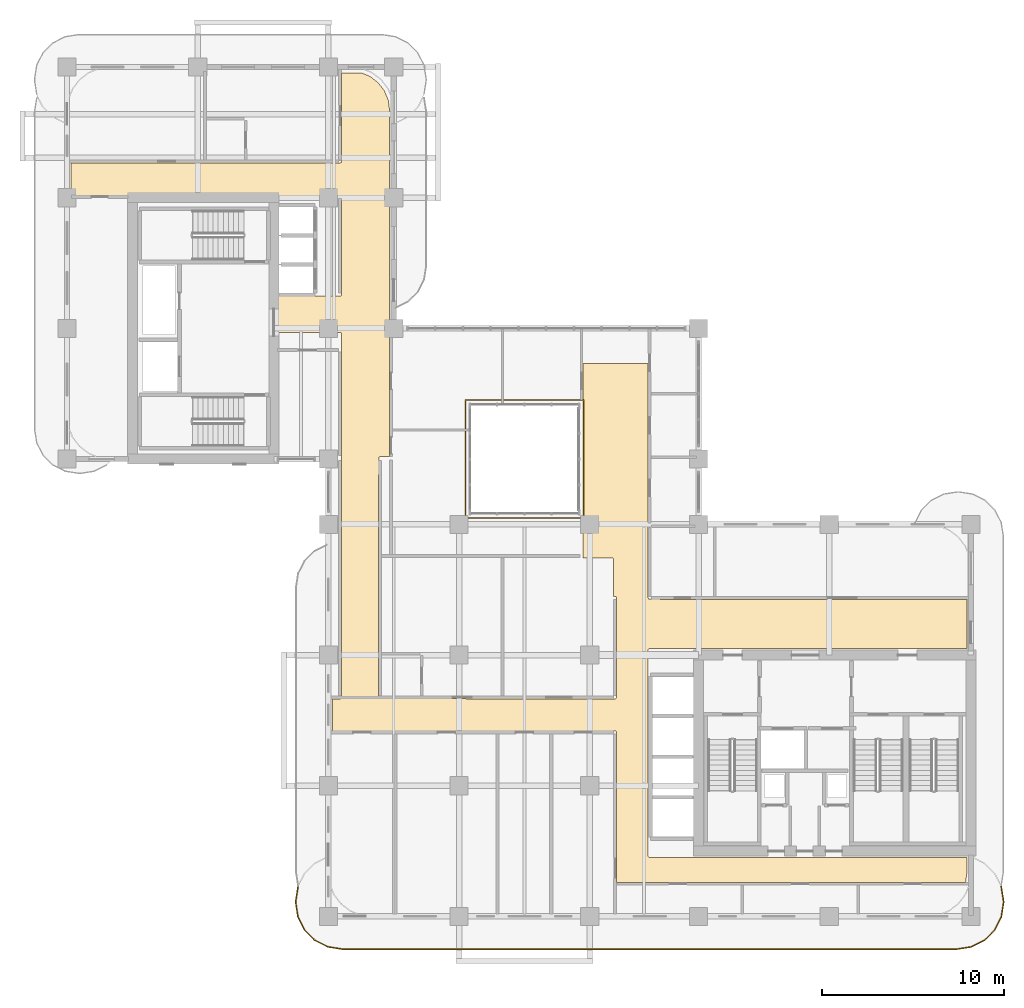
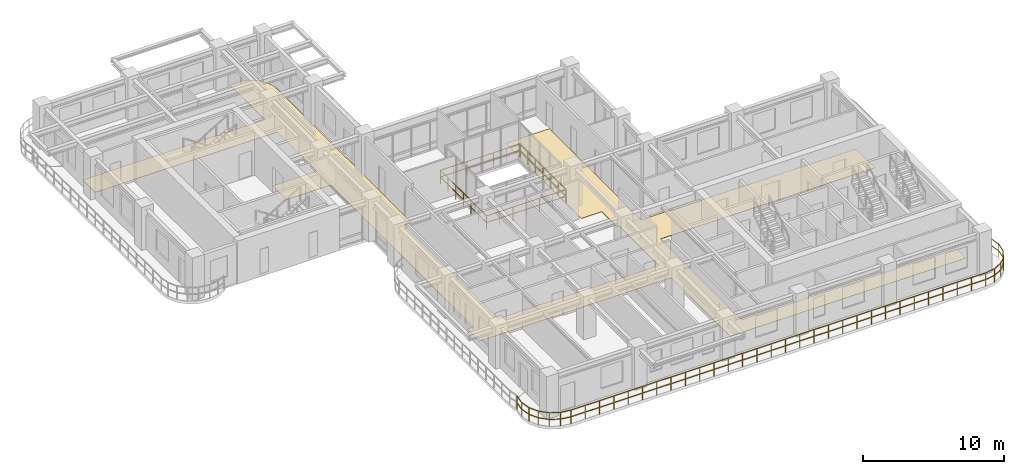
# One storey, part 18 of 21: 2 railings, 1 covering.
"""IFC4 building model written with IfcOpenShell, lengths in metres."""

from ifc_helpers import new_model, si_unit, derived_unit, direction, frame, origin, origin_2d, place, context, subcontext, project, spatial, polyline, rectangle, outline, extrude, material, layer, layer_set, type_object, element, save


model = new_model("IFC4")

# Units and contexts
model_context = context("Model", 3, precision=1e-05, world=origin(), true_north=direction((0.0, 1.0)))
body_context = subcontext(model_context, "Body", "Model", "MODEL_VIEW")
ifc_project = project(units=[si_unit("LENGTHUNIT", "METRE"), si_unit("AREAUNIT", "SQUARE_METRE"), si_unit("VOLUMEUNIT", "CUBIC_METRE"), si_unit("PLANEANGLEUNIT", "RADIAN"), si_unit("MASSUNIT", "GRAM", prefix="KILO"), si_unit("THERMODYNAMICTEMPERATUREUNIT", "KELVIN"), si_unit("POWERUNIT", "WATT"), derived_unit("THERMALTRANSMITTANCEUNIT", [(si_unit("POWERUNIT", "WATT"), 1), (si_unit("AREAUNIT", "SQUARE_METRE"), -1), (si_unit("THERMODYNAMICTEMPERATUREUNIT", "KELVIN"), -1)])], contexts=[model_context])

# Site, building, storey
site_placement = place(None, origin())
site = spatial("IfcSite", under=ifc_project, at=site_placement, CompositionType="ELEMENT")
building_placement = place(site_placement, origin())
building = spatial("IfcBuilding", under=site, at=building_placement, Name="Zahravan Archway Hotel and Residences", CompositionType="ELEMENT")
storey_placement = place(building_placement, frame((0.0, 0.0, 141.39990234375)))
storey = spatial("IfcBuildingStorey", under=building, at=storey_placement, Name="L35", CompositionType="ELEMENT", Elevation=141.39990234375)

# Covering
ifc_material_1 = material(Name="Engineered Walnut Parquet Flooring")
ifc_layer = layer(ifc_material_1, 0.02197265625, Name="Engineered Walnut Parquet Flooring")
ifc_layer_set = layer_set([ifc_layer], Name="Engineered Walnut Parquet Flooring")
covering_type = type_object("IfcCoveringType", Name="COV-FLR-TIMB", PredefinedType="FLOORING", material=ifc_layer_set)
covering_placement = place(storey_placement, origin())
element("IfcCovering", 1, at=covering_placement, inside=storey, type_object=covering_type, Name="L35 Circulation Floor Finish", PredefinedType="FLOORING", context=body_context, shape_type="SweptSolid", body=[
    extrude(outline(polyline([(32.08447265625, 14.75341796875), (32.04345703125, 14.731689453125), (32.021484375, 14.690673828125), (32.02001953125, 3.324951171875), (32.033447265625, 3.280517578125), (32.0693359375, 3.251220703125), (49.580078125, 3.2451171875), (49.580078125, 2.414306640625), (49.509521484375, 1.8798828125), (30.280029296875, 1.8798828125), (30.280029296875, 10.14990234375), (30.2666015625, 10.1943359375), (30.230712890625, 10.223876953125), (14.6201171875, 10.22998046875), (14.6201171875, 11.989990234375), (15.050048828125, 11.989990234375), (15.094482421875, 12.00341796875), (15.123779296875, 12.039306640625), (15.1298828125, 32.10009765625), (15.116455078125, 32.144287109375), (15.08056640625, 32.173828125), (11.530029296875, 32.179931640625), (11.530029296875, 34.169921875), (15.050048828125, 34.169921875), (15.094482421875, 34.18359375), (15.123779296875, 34.219482421875), (15.1298828125, 39.64990234375), (15.116455078125, 39.6943359375), (15.08056640625, 39.723876953125), (0.22998046875, 39.72998046875), (0.22998046875, 41.52001953125), (15.050048828125, 41.52001953125), (15.094482421875, 41.533447265625), (15.123779296875, 41.5693359375), (15.1298828125, 46.469970703125), (16.24560546875, 46.469970703125), (16.689208984375, 46.286376953125), (17.14013671875, 45.940185546875), (17.486328125, 45.489013671875), (17.703857421875, 44.9638671875), (17.77001953125, 44.46142578125), (17.77001953125, 25.330078125), (17.25, 25.330078125), (17.20556640625, 25.31640625), (17.176025390625, 25.280517578125), (17.169921875, 12.070068359375), (17.18359375, 12.025634765625), (17.219482421875, 11.99609375), (30.199951171875, 11.989990234375), (30.244384765625, 12.00341796875), (30.27392578125, 12.039306640625), (30.280029296875, 17.550048828125), (30.2666015625, 17.594482421875), (30.230712890625, 17.623779296875), (30.10009765625, 17.6298828125), (30.10009765625, 19.719970703125), (30.072998046875, 19.75), (28.429931640625, 19.75), (28.429931640625, 30.469970703125), (32.02001953125, 30.469970703125), (32.02001953125, 17.550048828125), (32.033447265625, 17.505615234375), (32.0693359375, 17.47607421875), (49.580078125, 17.469970703125), (49.580078125, 14.7548828125), (32.10009765625, 14.7548828125), (32.08447265625, 14.75341796875)])), origin(), (0.0, 0.0, 1.0), 0.022216796875),
])

# Railings
ifc_material_2 = material(Name="Atrium Laminated Glass Guardrail", Category="glass")
railing_type_1 = type_object("IfcRailingType", Name="RL-ATR-1200", PredefinedType="BALUSTRADE", material=ifc_material_2)
railing_1_placement = place(storey_placement, frame((21.949951171875, 21.949951171875, 0.0)))
element("IfcRailing", 2, at=railing_1_placement, inside=storey, type_object=railing_type_1, Name="L35 Balustrade RL-ATR-L35", PredefinedType="BALUSTRADE", context=body_context, shape_type="SweptSolid", body=[
    extrude(rectangle(XDim=0.048095703125, YDim=0.048095703125, at=origin_2d()), frame((0.0, 0.0, 1.17578125), z_axis=(1.0, 0.0, 0.0), x_axis=(0.0, 1.0, 0.0)), (0.0, 0.0, 1.0), 6.5),
    extrude(rectangle(XDim=0.048095703125, YDim=0.048095703125, at=origin_2d()), frame((0.0, 0.0, 0.60009765625), z_axis=(1.0, 0.0, 0.0), x_axis=(0.0, 1.0, 0.0)), (0.0, 0.0, 1.0), 6.5),
    extrude(rectangle(XDim=0.048095703125, YDim=0.048095703125, at=origin_2d()), frame((6.5, 0.0, 1.17578125), z_axis=(0.0, 1.0, 0.0), x_axis=(-1.0, 0.0, 0.0)), (0.0, 0.0, 1.0), 6.5),
    extrude(rectangle(XDim=0.048095703125, YDim=0.048095703125, at=origin_2d()), frame((6.5, 0.0, 0.60009765625), z_axis=(0.0, 1.0, 0.0), x_axis=(-1.0, 0.0, 0.0)), (0.0, 0.0, 1.0), 6.5),
    extrude(rectangle(XDim=0.048095703125, YDim=0.048095703125, at=origin_2d()), frame((6.5, 6.5, 1.17578125), z_axis=(-1.0, 0.0, 0.0), x_axis=(0.0, -1.0, 0.0)), (0.0, 0.0, 1.0), 6.5),
    extrude(rectangle(XDim=0.048095703125, YDim=0.048095703125, at=origin_2d()), frame((6.5, 6.5, 0.60009765625), z_axis=(-1.0, 0.0, 0.0), x_axis=(0.0, -1.0, 0.0)), (0.0, 0.0, 1.0), 6.5),
    extrude(rectangle(XDim=0.048095703125, YDim=0.048095703125, at=origin_2d()), frame((0.0, 6.5, 1.17578125), z_axis=(0.0, -1.0, 0.0), x_axis=(1.0, 0.0, 0.0)), (0.0, 0.0, 1.0), 6.5),
    extrude(rectangle(XDim=0.048095703125, YDim=0.048095703125, at=origin_2d()), frame((0.0, 6.5, 0.60009765625), z_axis=(0.0, -1.0, 0.0), x_axis=(1.0, 0.0, 0.0)), (0.0, 0.0, 1.0), 6.5),
    extrude(rectangle(XDim=0.0419921875, YDim=0.0419921875, at=origin_2d()), origin(), (0.0, 0.0, 1.0), 1.15185546875),
    extrude(rectangle(XDim=0.0419921875, YDim=0.0419921875, at=origin_2d()), frame((1.083251953125, 0.0, 0.0)), (0.0, 0.0, 1.0), 1.15185546875),
    extrude(rectangle(XDim=0.0419921875, YDim=0.0419921875, at=origin_2d()), frame((2.166748046875, 0.0, 0.0)), (0.0, 0.0, 1.0), 1.15185546875),
    extrude(rectangle(XDim=0.0419921875, YDim=0.0419921875, at=origin_2d()), frame((3.25, 0.0, 0.0)), (0.0, 0.0, 1.0), 1.15185546875),
    extrude(rectangle(XDim=0.0419921875, YDim=0.0419921875, at=origin_2d()), frame((4.333251953125, 0.0, 0.0)), (0.0, 0.0, 1.0), 1.15185546875),
    extrude(rectangle(XDim=0.0419921875, YDim=0.0419921875, at=origin_2d()), frame((5.416748046875, 0.0, 0.0)), (0.0, 0.0, 1.0), 1.15185546875),
    extrude(rectangle(XDim=0.0419921875, YDim=0.0419921875, at=origin_2d()), frame((6.5, 0.0, 0.0)), (0.0, 0.0, 1.0), 1.15185546875),
    extrude(rectangle(XDim=0.0419921875, YDim=0.0419921875, at=origin_2d()), frame((6.5, 1.083251953125, 0.0)), (0.0, 0.0, 1.0), 1.15185546875),
    extrude(rectangle(XDim=0.0419921875, YDim=0.0419921875, at=origin_2d()), frame((6.5, 2.166748046875, 0.0)), (0.0, 0.0, 1.0), 1.15185546875),
    extrude(rectangle(XDim=0.0419921875, YDim=0.0419921875, at=origin_2d()), frame((6.5, 3.25, 0.0)), (0.0, 0.0, 1.0), 1.15185546875),
    extrude(rectangle(XDim=0.0419921875, YDim=0.0419921875, at=origin_2d()), frame((6.5, 4.333251953125, 0.0)), (0.0, 0.0, 1.0), 1.15185546875),
    extrude(rectangle(XDim=0.0419921875, YDim=0.0419921875, at=origin_2d()), frame((6.5, 5.416748046875, 0.0)), (0.0, 0.0, 1.0), 1.15185546875),
    extrude(rectangle(XDim=0.0419921875, YDim=0.0419921875, at=origin_2d()), frame((6.5, 6.5, 0.0)), (0.0, 0.0, 1.0), 1.15185546875),
    extrude(rectangle(XDim=0.0419921875, YDim=0.0419921875, at=origin_2d()), frame((5.416748046875, 6.5, 0.0)), (0.0, 0.0, 1.0), 1.15185546875),
    extrude(rectangle(XDim=0.0419921875, YDim=0.0419921875, at=origin_2d()), frame((4.333251953125, 6.5, 0.0)), (0.0, 0.0, 1.0), 1.15185546875),
    extrude(rectangle(XDim=0.0419921875, YDim=0.0419921875, at=origin_2d()), frame((3.25, 6.5, 0.0)), (0.0, 0.0, 1.0), 1.15185546875),
    extrude(rectangle(XDim=0.0419921875, YDim=0.0419921875, at=origin_2d()), frame((2.166748046875, 6.5, 0.0)), (0.0, 0.0, 1.0), 1.15185546875),
    extrude(rectangle(XDim=0.0419921875, YDim=0.0419921875, at=origin_2d()), frame((1.083251953125, 6.5, 0.0)), (0.0, 0.0, 1.0), 1.15185546875),
    extrude(rectangle(XDim=0.0419921875, YDim=0.0419921875, at=origin_2d()), frame((0.0, 6.5, 0.0)), (0.0, 0.0, 1.0), 1.15185546875),
    extrude(rectangle(XDim=0.0419921875, YDim=0.0419921875, at=origin_2d()), frame((0.0, 5.416748046875, 0.0)), (0.0, 0.0, 1.0), 1.15185546875),
    extrude(rectangle(XDim=0.0419921875, YDim=0.0419921875, at=origin_2d()), frame((0.0, 4.333251953125, 0.0)), (0.0, 0.0, 1.0), 1.15185546875),
    extrude(rectangle(XDim=0.0419921875, YDim=0.0419921875, at=origin_2d()), frame((0.0, 3.25, 0.0)), (0.0, 0.0, 1.0), 1.15185546875),
    extrude(rectangle(XDim=0.0419921875, YDim=0.0419921875, at=origin_2d()), frame((0.0, 2.166748046875, 0.0)), (0.0, 0.0, 1.0), 1.15185546875),
    extrude(rectangle(XDim=0.0419921875, YDim=0.0419921875, at=origin_2d()), frame((0.0, 1.083251953125, 0.0)), (0.0, 0.0, 1.0), 1.15185546875),
])
ifc_material_3 = material(Name="Bronze & Laminated Glass Balustrade", Category="glass")
railing_type_2 = type_object("IfcRailingType", Name="RL-BAL-1200", PredefinedType="BALUSTRADE", material=ifc_material_3)
railing_2_placement = place(storey_placement, frame((51.47509765625, 1.637939453125, 0.0)))
element("IfcRailing", 3, at=railing_2_placement, inside=storey, type_object=railing_type_2, Name="L35 Balustrade RL-SLB-BAL-L35-SA-1", PredefinedType="BALUSTRADE", context=body_context, shape_type="SweptSolid", body=[
    extrude(rectangle(XDim=0.048095703125, YDim=0.048095703125, at=origin_2d()), frame((0.0, 0.0, 1.17578125), z_axis=(0.156701202656, -0.987646056584, 0.0), x_axis=(0.987646056584, 0.156701202656, 0.0)), (0.0, 0.0, 1.0), 0.797607421875),
    extrude(rectangle(XDim=0.048095703125, YDim=0.048095703125, at=origin_2d()), frame((0.0, 0.0, 0.60009765625), z_axis=(0.156701202656, -0.987646056584, 0.0), x_axis=(0.987646056584, 0.156701202656, 0.0)), (0.0, 0.0, 1.0), 0.797607421875),
    extrude(rectangle(XDim=0.048095703125, YDim=0.048095703125, at=origin_2d()), frame((0.125, -0.787841796875, 1.17578125), z_axis=(0.0, -1.0, 0.0), x_axis=(1.0, 0.0, 0.0)), (0.0, 0.0, 1.0), 0.10009765625),
    extrude(rectangle(XDim=0.048095703125, YDim=0.048095703125, at=origin_2d()), frame((0.125, -0.787841796875, 0.60009765625), z_axis=(0.0, -1.0, 0.0), x_axis=(1.0, 0.0, 0.0)), (0.0, 0.0, 1.0), 0.10009765625),
    extrude(rectangle(XDim=0.048095703125, YDim=0.048095703125, at=origin_2d()), frame((0.125, -0.887939453125, 1.17578125), z_axis=(-0.156653849773, -0.98765356849, 0.0), x_axis=(0.98765356849, -0.156653849773, 0.0)), (0.0, 0.0, 1.0), 0.7978515625),
    extrude(rectangle(XDim=0.048095703125, YDim=0.048095703125, at=origin_2d()), frame((0.125, -0.887939453125, 0.60009765625), z_axis=(-0.156653849773, -0.98765356849, 0.0), x_axis=(0.98765356849, -0.156653849773, 0.0)), (0.0, 0.0, 1.0), 0.7978515625),
    extrude(rectangle(XDim=0.048095703125, YDim=0.048095703125, at=origin_2d()), frame((0.0, -1.676025390625, 1.17578125), z_axis=(-0.453934952053, -0.891034824967, 0.0), x_axis=(0.891034824967, -0.453934952053, 0.0)), (0.0, 0.0, 1.0), 0.797607421875),
    extrude(rectangle(XDim=0.048095703125, YDim=0.048095703125, at=origin_2d()), frame((0.0, -1.676025390625, 0.60009765625), z_axis=(-0.453934952053, -0.891034824967, 0.0), x_axis=(0.891034824967, -0.453934952053, 0.0)), (0.0, 0.0, 1.0), 0.797607421875),
    extrude(rectangle(XDim=0.048095703125, YDim=0.048095703125, at=origin_2d()), frame((-0.362060546875, -2.38671875, 1.17578125), z_axis=(-0.707106781187, -0.707106781187, 0.0), x_axis=(0.707106781187, -0.707106781187, 0.0)), (0.0, 0.0, 1.0), 0.7978515625),
    extrude(rectangle(XDim=0.048095703125, YDim=0.048095703125, at=origin_2d()), frame((-0.362060546875, -2.38671875, 0.60009765625), z_axis=(-0.707106781187, -0.707106781187, 0.0), x_axis=(0.707106781187, -0.707106781187, 0.0)), (0.0, 0.0, 1.0), 0.7978515625),
    extrude(rectangle(XDim=0.048095703125, YDim=0.048095703125, at=origin_2d()), frame((-0.92626953125, -2.950927734375, 1.17578125), z_axis=(-0.890974108706, -0.454054113091, 0.0), x_axis=(0.454054113091, -0.890974108706, 0.0)), (0.0, 0.0, 1.0), 0.7978515625),
    extrude(rectangle(XDim=0.048095703125, YDim=0.048095703125, at=origin_2d()), frame((-0.92626953125, -2.950927734375, 0.60009765625), z_axis=(-0.890974108706, -0.454054113091, 0.0), x_axis=(0.454054113091, -0.890974108706, 0.0)), (0.0, 0.0, 1.0), 0.7978515625),
    extrude(rectangle(XDim=0.048095703125, YDim=0.048095703125, at=origin_2d()), frame((-1.63720703125, -3.313232421875, 1.17578125), z_axis=(-0.987693380745, -0.156402639467, 0.0), x_axis=(0.156402639467, -0.987693380745, 0.0)), (0.0, 0.0, 1.0), 0.797607421875),
    extrude(rectangle(XDim=0.048095703125, YDim=0.048095703125, at=origin_2d()), frame((-1.63720703125, -3.313232421875, 0.60009765625), z_axis=(-0.987693380745, -0.156402639467, 0.0), x_axis=(0.156402639467, -0.987693380745, 0.0)), (0.0, 0.0, 1.0), 0.797607421875),
    extrude(rectangle(XDim=0.048095703125, YDim=0.048095703125, at=origin_2d()), frame((-2.425048828125, -3.43798828125, 1.17578125), z_axis=(-1.0, 0.0, 0.0), x_axis=(0.0, -1.0, 0.0)), (0.0, 0.0, 1.0), 33.900146484375),
    extrude(rectangle(XDim=0.048095703125, YDim=0.048095703125, at=origin_2d()), frame((-2.425048828125, -3.43798828125, 0.60009765625), z_axis=(-1.0, 0.0, 0.0), x_axis=(0.0, -1.0, 0.0)), (0.0, 0.0, 1.0), 33.900146484375),
    extrude(rectangle(XDim=0.048095703125, YDim=0.048095703125, at=origin_2d()), frame((-36.3251953125, -3.43798828125, 1.17578125), z_axis=(-0.987693380745, 0.156402639467, 0.0), x_axis=(-0.156402639467, -0.987693380745, 0.0)), (0.0, 0.0, 1.0), 0.797607421875),
    extrude(rectangle(XDim=0.048095703125, YDim=0.048095703125, at=origin_2d()), frame((-36.3251953125, -3.43798828125, 0.60009765625), z_axis=(-0.987693380745, 0.156402639467, 0.0), x_axis=(-0.156402639467, -0.987693380745, 0.0)), (0.0, 0.0, 1.0), 0.797607421875),
    extrude(rectangle(XDim=0.048095703125, YDim=0.048095703125, at=origin_2d()), frame((-37.113037109375, -3.313232421875, 1.17578125), z_axis=(-0.890974108706, 0.454054113091, 0.0), x_axis=(-0.454054113091, -0.890974108706, 0.0)), (0.0, 0.0, 1.0), 0.7978515625),
    extrude(rectangle(XDim=0.048095703125, YDim=0.048095703125, at=origin_2d()), frame((-37.113037109375, -3.313232421875, 0.60009765625), z_axis=(-0.890974108706, 0.454054113091, 0.0), x_axis=(-0.454054113091, -0.890974108706, 0.0)), (0.0, 0.0, 1.0), 0.7978515625),
    extrude(rectangle(XDim=0.048095703125, YDim=0.048095703125, at=origin_2d()), frame((-37.823974609375, -2.950927734375, 1.17578125), z_axis=(-0.707106781187, 0.707106781187, 0.0), x_axis=(-0.707106781187, -0.707106781187, 0.0)), (0.0, 0.0, 1.0), 0.7978515625),
    extrude(rectangle(XDim=0.048095703125, YDim=0.048095703125, at=origin_2d()), frame((-37.823974609375, -2.950927734375, 0.60009765625), z_axis=(-0.707106781187, 0.707106781187, 0.0), x_axis=(-0.707106781187, -0.707106781187, 0.0)), (0.0, 0.0, 1.0), 0.7978515625),
    extrude(rectangle(XDim=0.048095703125, YDim=0.048095703125, at=origin_2d()), frame((-38.38818359375, -2.38671875, 1.17578125), z_axis=(-0.453934952053, 0.891034824967, 0.0), x_axis=(-0.891034824967, -0.453934952053, 0.0)), (0.0, 0.0, 1.0), 0.797607421875),
    extrude(rectangle(XDim=0.048095703125, YDim=0.048095703125, at=origin_2d()), frame((-38.38818359375, -2.38671875, 0.60009765625), z_axis=(-0.453934952053, 0.891034824967, 0.0), x_axis=(-0.891034824967, -0.453934952053, 0.0)), (0.0, 0.0, 1.0), 0.797607421875),
    extrude(rectangle(XDim=0.048095703125, YDim=0.048095703125, at=origin_2d()), frame((-38.750244140625, -1.676025390625, 1.17578125), z_axis=(-0.156355372278, 0.987700864412, 0.0), x_axis=(-0.987700864412, -0.156355372278, 0.0)), (0.0, 0.0, 1.0), 0.7978515625),
    extrude(rectangle(XDim=0.048095703125, YDim=0.048095703125, at=origin_2d()), frame((-38.750244140625, -1.676025390625, 0.60009765625), z_axis=(-0.156355372278, 0.987700864412, 0.0), x_axis=(-0.987700864412, -0.156355372278, 0.0)), (0.0, 0.0, 1.0), 0.7978515625),
    extrude(rectangle(XDim=0.048095703125, YDim=0.048095703125, at=origin_2d()), frame((-38.875, -0.887939453125, 1.17578125), z_axis=(0.0, 1.0, 0.0), x_axis=(-1.0, 0.0, 0.0)), (0.0, 0.0, 1.0), 0.10009765625),
    extrude(rectangle(XDim=0.048095703125, YDim=0.048095703125, at=origin_2d()), frame((-38.875, -0.887939453125, 0.60009765625), z_axis=(0.0, 1.0, 0.0), x_axis=(-1.0, 0.0, 0.0)), (0.0, 0.0, 1.0), 0.10009765625),
    extrude(rectangle(XDim=0.048095703125, YDim=0.048095703125, at=origin_2d()), frame((-38.875, -0.787841796875, 1.17578125), z_axis=(0.156402639467, 0.987693380745, 0.0), x_axis=(-0.987693380745, 0.156402639467, 0.0)), (0.0, 0.0, 1.0), 0.797607421875),
    extrude(rectangle(XDim=0.048095703125, YDim=0.048095703125, at=origin_2d()), frame((-38.875, -0.787841796875, 0.60009765625), z_axis=(0.156402639467, 0.987693380745, 0.0), x_axis=(-0.987693380745, 0.156402639467, 0.0)), (0.0, 0.0, 1.0), 0.797607421875),
    extrude(rectangle(XDim=0.0419921875, YDim=0.0419921875, at=origin_2d()), origin(), (0.0, 0.0, 1.0), 1.15185546875),
    extrude(rectangle(XDim=0.0419921875, YDim=0.0419921875, at=origin_2d()), frame((0.125, -0.787841796875, 0.0)), (0.0, 0.0, 1.0), 1.15185546875),
    extrude(rectangle(XDim=0.0419921875, YDim=0.0419921875, at=origin_2d()), frame((0.0, -1.676025390625, 0.0)), (0.0, 0.0, 1.0), 1.15185546875),
    extrude(rectangle(XDim=0.0419921875, YDim=0.0419921875, at=origin_2d()), frame((-0.362060546875, -2.38671875, 0.0)), (0.0, 0.0, 1.0), 1.15185546875),
    extrude(rectangle(XDim=0.0419921875, YDim=0.0419921875, at=origin_2d()), frame((-0.92626953125, -2.950927734375, 0.0)), (0.0, 0.0, 1.0), 1.15185546875),
    extrude(rectangle(XDim=0.0419921875, YDim=0.0419921875, at=origin_2d()), frame((-1.63720703125, -3.313232421875, 0.0)), (0.0, 0.0, 1.0), 1.15185546875),
    extrude(rectangle(XDim=0.0419921875, YDim=0.0419921875, at=origin_2d()), frame((-2.425048828125, -3.43798828125, 0.0)), (0.0, 0.0, 1.0), 1.15185546875),
    extrude(rectangle(XDim=0.0419921875, YDim=0.0419921875, at=origin_2d()), frame((-3.593994140625, -3.43798828125, 0.0)), (0.0, 0.0, 1.0), 1.15185546875),
    extrude(rectangle(XDim=0.0419921875, YDim=0.0419921875, at=origin_2d()), frame((-4.762939453125, -3.43798828125, 0.0)), (0.0, 0.0, 1.0), 1.15185546875),
    extrude(rectangle(XDim=0.0419921875, YDim=0.0419921875, at=origin_2d()), frame((-5.931884765625, -3.43798828125, 0.0)), (0.0, 0.0, 1.0), 1.15185546875),
    extrude(rectangle(XDim=0.0419921875, YDim=0.0419921875, at=origin_2d()), frame((-7.100830078125, -3.43798828125, 0.0)), (0.0, 0.0, 1.0), 1.15185546875),
    extrude(rectangle(XDim=0.0419921875, YDim=0.0419921875, at=origin_2d()), frame((-8.27001953125, -3.43798828125, 0.0)), (0.0, 0.0, 1.0), 1.15185546875),
    extrude(rectangle(XDim=0.0419921875, YDim=0.0419921875, at=origin_2d()), frame((-9.43896484375, -3.43798828125, 0.0)), (0.0, 0.0, 1.0), 1.15185546875),
    extrude(rectangle(XDim=0.0419921875, YDim=0.0419921875, at=origin_2d()), frame((-10.60791015625, -3.43798828125, 0.0)), (0.0, 0.0, 1.0), 1.15185546875),
    extrude(rectangle(XDim=0.0419921875, YDim=0.0419921875, at=origin_2d()), frame((-11.77685546875, -3.43798828125, 0.0)), (0.0, 0.0, 1.0), 1.15185546875),
    extrude(rectangle(XDim=0.0419921875, YDim=0.0419921875, at=origin_2d()), frame((-12.94580078125, -3.43798828125, 0.0)), (0.0, 0.0, 1.0), 1.15185546875),
    extrude(rectangle(XDim=0.0419921875, YDim=0.0419921875, at=origin_2d()), frame((-14.11474609375, -3.43798828125, 0.0)), (0.0, 0.0, 1.0), 1.15185546875),
    extrude(rectangle(XDim=0.0419921875, YDim=0.0419921875, at=origin_2d()), frame((-15.28369140625, -3.43798828125, 0.0)), (0.0, 0.0, 1.0), 1.15185546875),
    extrude(rectangle(XDim=0.0419921875, YDim=0.0419921875, at=origin_2d()), frame((-16.45263671875, -3.43798828125, 0.0)), (0.0, 0.0, 1.0), 1.15185546875),
    extrude(rectangle(XDim=0.0419921875, YDim=0.0419921875, at=origin_2d()), frame((-17.62158203125, -3.43798828125, 0.0)), (0.0, 0.0, 1.0), 1.15185546875),
    extrude(rectangle(XDim=0.0419921875, YDim=0.0419921875, at=origin_2d()), frame((-18.79052734375, -3.43798828125, 0.0)), (0.0, 0.0, 1.0), 1.15185546875),
    extrude(rectangle(XDim=0.0419921875, YDim=0.0419921875, at=origin_2d()), frame((-19.959716796875, -3.43798828125, 0.0)), (0.0, 0.0, 1.0), 1.15185546875),
    extrude(rectangle(XDim=0.0419921875, YDim=0.0419921875, at=origin_2d()), frame((-21.128662109375, -3.43798828125, 0.0)), (0.0, 0.0, 1.0), 1.15185546875),
    extrude(rectangle(XDim=0.0419921875, YDim=0.0419921875, at=origin_2d()), frame((-22.297607421875, -3.43798828125, 0.0)), (0.0, 0.0, 1.0), 1.15185546875),
    extrude(rectangle(XDim=0.0419921875, YDim=0.0419921875, at=origin_2d()), frame((-23.466552734375, -3.43798828125, 0.0)), (0.0, 0.0, 1.0), 1.15185546875),
    extrude(rectangle(XDim=0.0419921875, YDim=0.0419921875, at=origin_2d()), frame((-24.635498046875, -3.43798828125, 0.0)), (0.0, 0.0, 1.0), 1.15185546875),
    extrude(rectangle(XDim=0.0419921875, YDim=0.0419921875, at=origin_2d()), frame((-25.804443359375, -3.43798828125, 0.0)), (0.0, 0.0, 1.0), 1.15185546875),
    extrude(rectangle(XDim=0.0419921875, YDim=0.0419921875, at=origin_2d()), frame((-26.973388671875, -3.43798828125, 0.0)), (0.0, 0.0, 1.0), 1.15185546875),
    extrude(rectangle(XDim=0.0419921875, YDim=0.0419921875, at=origin_2d()), frame((-28.142333984375, -3.43798828125, 0.0)), (0.0, 0.0, 1.0), 1.15185546875),
    extrude(rectangle(XDim=0.0419921875, YDim=0.0419921875, at=origin_2d()), frame((-29.311279296875, -3.43798828125, 0.0)), (0.0, 0.0, 1.0), 1.15185546875),
    extrude(rectangle(XDim=0.0419921875, YDim=0.0419921875, at=origin_2d()), frame((-30.480224609375, -3.43798828125, 0.0)), (0.0, 0.0, 1.0), 1.15185546875),
    extrude(rectangle(XDim=0.0419921875, YDim=0.0419921875, at=origin_2d()), frame((-31.6494140625, -3.43798828125, 0.0)), (0.0, 0.0, 1.0), 1.15185546875),
    extrude(rectangle(XDim=0.0419921875, YDim=0.0419921875, at=origin_2d()), frame((-32.818359375, -3.43798828125, 0.0)), (0.0, 0.0, 1.0), 1.15185546875),
    extrude(rectangle(XDim=0.0419921875, YDim=0.0419921875, at=origin_2d()), frame((-33.9873046875, -3.43798828125, 0.0)), (0.0, 0.0, 1.0), 1.15185546875),
    extrude(rectangle(XDim=0.0419921875, YDim=0.0419921875, at=origin_2d()), frame((-35.15625, -3.43798828125, 0.0)), (0.0, 0.0, 1.0), 1.15185546875),
    extrude(rectangle(XDim=0.0419921875, YDim=0.0419921875, at=origin_2d()), frame((-36.3251953125, -3.43798828125, 0.0)), (0.0, 0.0, 1.0), 1.15185546875),
    extrude(rectangle(XDim=0.0419921875, YDim=0.0419921875, at=origin_2d()), frame((-37.113037109375, -3.313232421875, 0.0)), (0.0, 0.0, 1.0), 1.15185546875),
    extrude(rectangle(XDim=0.0419921875, YDim=0.0419921875, at=origin_2d()), frame((-37.823974609375, -2.950927734375, 0.0)), (0.0, 0.0, 1.0), 1.15185546875),
    extrude(rectangle(XDim=0.0419921875, YDim=0.0419921875, at=origin_2d()), frame((-38.38818359375, -2.38671875, 0.0)), (0.0, 0.0, 1.0), 1.15185546875),
    extrude(rectangle(XDim=0.0419921875, YDim=0.0419921875, at=origin_2d()), frame((-38.750244140625, -1.676025390625, 0.0)), (0.0, 0.0, 1.0), 1.15185546875),
    extrude(rectangle(XDim=0.0419921875, YDim=0.0419921875, at=origin_2d()), frame((-38.875, -0.887939453125, 0.0)), (0.0, 0.0, 1.0), 1.15185546875),
    extrude(rectangle(XDim=0.0419921875, YDim=0.0419921875, at=origin_2d()), frame((-38.750244140625, 0.0, 0.0)), (0.0, 0.0, 1.0), 1.15185546875),
])

save(model, "model.ifc")
